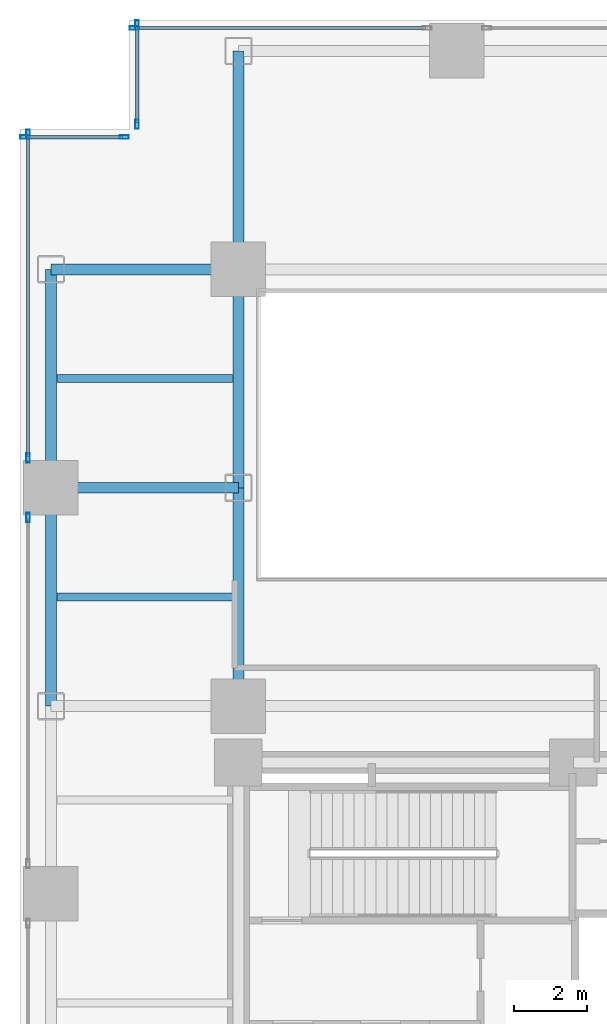
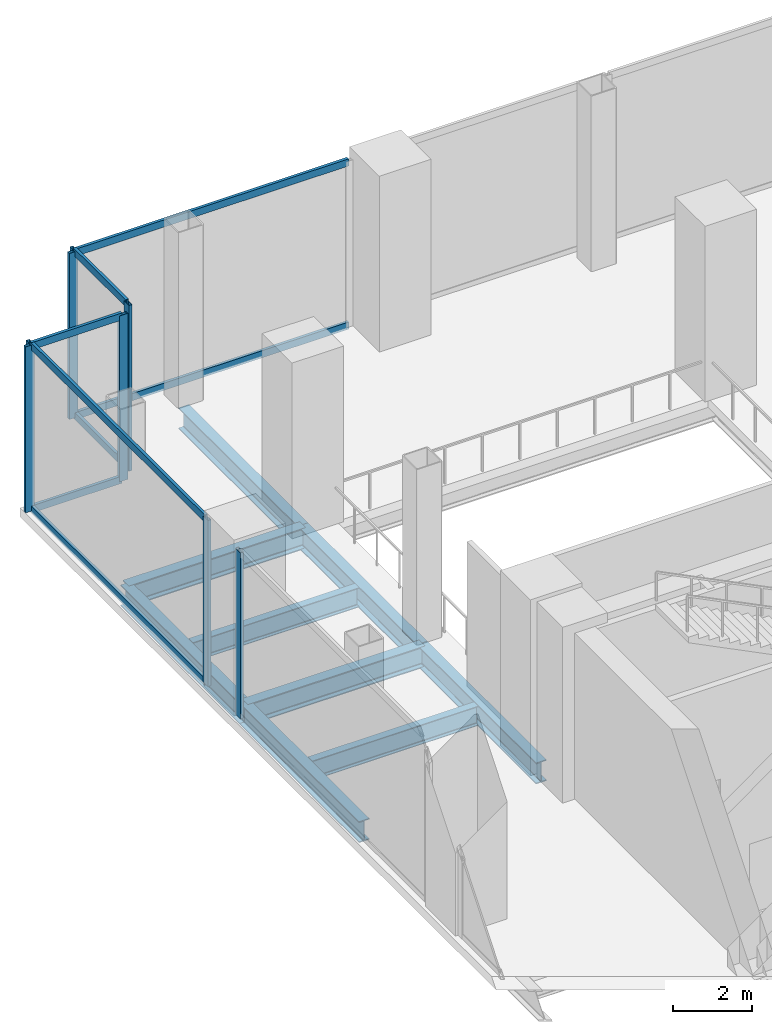
# One storey, part 13 of 28: 16 members, 9 beams, 5 elements without a shape of their own.
"""IFC4 building model written with IfcOpenShell, lengths in metres."""

from ifc_helpers import new_model, si_unit, direction, frame, origin, origin_2d, place, context, subcontext, project, spatial, hollow_rectangle, i_section, extrude, material, layer, layer_set, material_profile, profile_set, type_object, element, aggregate, save


model = new_model("IFC4")

# Units and contexts
model_context = context("Model", 3, precision=1e-05, world=origin(), true_north=direction((0.0, 1.0)))
body_context = subcontext(model_context, "Body", "Model", "MODEL_VIEW")
ifc_project = project(units=[si_unit("LENGTHUNIT", "METRE"), si_unit("AREAUNIT", "SQUARE_METRE"), si_unit("VOLUMEUNIT", "CUBIC_METRE"), si_unit("PLANEANGLEUNIT", "RADIAN"), si_unit("MASSUNIT", "GRAM", prefix="KILO"), si_unit("THERMODYNAMICTEMPERATUREUNIT", "KELVIN"), si_unit("POWERUNIT", "WATT")], contexts=[model_context])

# Site, building, storey
site_placement = place(None, origin())
site = spatial("IfcSite", under=ifc_project, at=site_placement, CompositionType="ELEMENT")
building_placement = place(site_placement, origin())
building = spatial("IfcBuilding", under=site, at=building_placement, Name="Svarakhadi Broadcast Tower", CompositionType="ELEMENT")
storey_placement = place(building_placement, frame((0.0, 0.0, 11.10009765625)))
storey = spatial("IfcBuildingStorey", under=building, at=storey_placement, Name="L02", CompositionType="ELEMENT", Elevation=11.10009765625)

# Beams
ifc_material_1 = material(Name="Steel S355J2 (IS 2062 E350C)", Category="steel")
ifc_material_profile_1 = material_profile(ifc_material_1, i_section(OverallWidth=0.219970703125, OverallDepth=0.60009765625, WebThickness=0.011962890625, FlangeThickness=0.01904296875, FilletRadius=0.02392578125, at=origin_2d()), Name="NPB 600x220x122")
ifc_profile_set_1 = profile_set([ifc_material_profile_1], Name="Steel S355J2 (IS 2062 E350C)")
beam_type_1 = type_object("IfcBeamType", Name="Beam_NPB600", PredefinedType="BEAM", material=ifc_profile_set_1)
for number, where, z_axis, x_axis, name in (
    (1, (1.010009765625, 32.14990234375, -0.5751953125), (1.0, 0.0, 0.0), (0.0, 1.0, 0.0), "L02 Secondary Composite Beam SB005"),
    (2, (1.010009765625, 38.14990234375, -0.5751953125), (1.0, 0.0, 0.0), (0.0, 1.0, 0.0), "L02 Secondary Composite Beam SB006"),
):
    element("IfcBeam", number, at=place(storey_placement, frame(where, z_axis=z_axis, x_axis=x_axis)), inside=storey, type_object=beam_type_1, Name=name, PredefinedType="BEAM", context=body_context, shape_type="SweptSolid", body=[
        extrude(i_section(OverallWidth=0.219970703125, OverallDepth=0.60009765625, WebThickness=0.011962890625, FlangeThickness=0.01904296875, FilletRadius=0.02392578125, at=origin_2d()), origin(), (0.0, 0.0, 1.0), 4.830078125),
    ])

# Curtain wall, member
ifc_material_2 = material(Name="Anodised Bronze Aluminium AA 6063-T6", Category="aluminium")
ifc_layer = layer(ifc_material_2, 0.25)
ifc_layer_set = layer_set([ifc_layer], Name="Anodised Bronze Aluminium AA 6063-T6")
curtain_wall_type = type_object("IfcCurtainWallType", Name="CW_Sys_01", PredefinedType="NOTDEFINED", material=ifc_layer_set)
curtain_wall_1_placement = place(storey_placement, origin())
curtain_wall_1 = element("IfcCurtainWall", 3, at=curtain_wall_1_placement, inside=storey, type_object=curtain_wall_type, Name="L02 Unitised Facade Curtain Wall 02 Bay 3", PredefinedType="NOTDEFINED")
ifc_material_profile_2 = material_profile(ifc_material_2, hollow_rectangle(XDim=0.094970703125, YDim=0.25, WallThickness=0.006103515625, at=origin_2d()), Name="ALU MULLION 250x95x6")
ifc_profile_set_2 = profile_set([ifc_material_profile_2], Name="Anodised Bronze Aluminium AA 6063-T6")
member_type_1 = type_object("IfcMemberType", Name="CW_Sys_01_Mul", PredefinedType="MULLION", material=ifc_profile_set_2)
member_1_placement = place(storey_placement, frame((0.219970703125, 34.33251953125, 0.0), z_axis=(0.0, 0.0, 1.0), x_axis=(-1.0, 0.0, 0.0)))
member_1 = element("IfcMember", 4, at=member_1_placement, type_object=member_type_1, Name="CW-01 mullion 2", PredefinedType="MULLION", context=body_context, shape_type="SweptSolid", body=[
    extrude(hollow_rectangle(XDim=0.094970703125, YDim=0.25, WallThickness=0.006103515625, at=origin_2d()), origin(), (0.0, 0.0, 1.0), 5.099853515625),
])
aggregate(curtain_wall_1, [member_1])

# Curtain wall, members
curtain_wall_2_placement = place(storey_placement, origin())
curtain_wall_2 = element("IfcCurtainWall", 5, at=curtain_wall_2_placement, inside=storey, type_object=curtain_wall_type, Name="L02 Unitised Facade Curtain Wall 02 Bay 4", PredefinedType="NOTDEFINED")
member_2_placement = place(storey_placement, frame((0.219970703125, 35.967529296875, 0.0), z_axis=(0.0, 0.0, 1.0), x_axis=(-1.0, 0.0, 0.0)))
member_2 = element("IfcMember", 6, at=member_2_placement, type_object=member_type_1, Name="CW-01 mullion 1", PredefinedType="MULLION", context=body_context, shape_type="SweptSolid", body=[
    extrude(hollow_rectangle(XDim=0.094970703125, YDim=0.25, WallThickness=0.006103515625, at=origin_2d()), origin(), (0.0, 0.0, 1.0), 5.099853515625),
])
member_3_placement = place(storey_placement, frame((0.219970703125, 44.862548828125, 0.0), z_axis=(0.0, 0.0, 1.0), x_axis=(-1.0, 0.0, 0.0)))
member_3 = element("IfcMember", 7, at=member_3_placement, type_object=member_type_1, Name="CW-01 mullion 2", PredefinedType="MULLION", context=body_context, shape_type="SweptSolid", body=[
    extrude(hollow_rectangle(XDim=0.094970703125, YDim=0.25, WallThickness=0.006103515625, at=origin_2d()), origin(), (0.0, 0.0, 1.0), 5.099853515625),
])

curtain_wall_3_placement = place(storey_placement, origin())
curtain_wall_3 = element("IfcCurtainWall", 8, at=curtain_wall_3_placement, inside=storey, type_object=curtain_wall_type, Name="L02 Unitised Facade Curtain Wall 03", PredefinedType="NOTDEFINED")
member_4_placement = place(storey_placement, frame((0.137451171875, 44.780029296875, 0.0), z_axis=(0.0, 0.0, 1.0), x_axis=(0.0, 1.0, 0.0)))
member_4 = element("IfcMember", 9, at=member_4_placement, type_object=member_type_1, Name="CW-01 mullion 1", PredefinedType="MULLION", context=body_context, shape_type="SweptSolid", body=[
    extrude(hollow_rectangle(XDim=0.094970703125, YDim=0.25, WallThickness=0.006103515625, at=origin_2d()), origin(), (0.0, 0.0, 1.0), 5.099853515625),
])
member_5_placement = place(storey_placement, frame((2.862548828125, 44.780029296875, 0.0), z_axis=(0.0, 0.0, 1.0), x_axis=(0.0, 1.0, 0.0)))
member_5 = element("IfcMember", 10, at=member_5_placement, type_object=member_type_1, Name="CW-01 mullion 2", PredefinedType="MULLION", context=body_context, shape_type="SweptSolid", body=[
    extrude(hollow_rectangle(XDim=0.094970703125, YDim=0.25, WallThickness=0.006103515625, at=origin_2d()), origin(), (0.0, 0.0, 1.0), 5.099853515625),
])

curtain_wall_4_placement = place(storey_placement, origin())
curtain_wall_4 = element("IfcCurtainWall", 11, at=curtain_wall_4_placement, inside=storey, type_object=curtain_wall_type, Name="L02 Unitised Facade Curtain Wall 04", PredefinedType="NOTDEFINED")
member_6_placement = place(storey_placement, frame((3.219970703125, 45.137451171875, 0.0), z_axis=(0.0, 0.0, 1.0), x_axis=(-1.0, 0.0, 0.0)))
member_6 = element("IfcMember", 12, at=member_6_placement, type_object=member_type_1, Name="CW-01 mullion 1", PredefinedType="MULLION", context=body_context, shape_type="SweptSolid", body=[
    extrude(hollow_rectangle(XDim=0.094970703125, YDim=0.25, WallThickness=0.006103515625, at=origin_2d()), origin(), (0.0, 0.0, 1.0), 5.099853515625),
])
member_7_placement = place(storey_placement, frame((3.219970703125, 47.862548828125, 0.0), z_axis=(0.0, 0.0, 1.0), x_axis=(-1.0, 0.0, 0.0)))
member_7 = element("IfcMember", 13, at=member_7_placement, type_object=member_type_1, Name="CW-01 mullion 2", PredefinedType="MULLION", context=body_context, shape_type="SweptSolid", body=[
    extrude(hollow_rectangle(XDim=0.094970703125, YDim=0.25, WallThickness=0.006103515625, at=origin_2d()), origin(), (0.0, 0.0, 1.0), 5.099853515625),
])

# Curtain wall, member
curtain_wall_5_placement = place(storey_placement, origin())
curtain_wall_5 = element("IfcCurtainWall", 14, at=curtain_wall_5_placement, inside=storey, type_object=curtain_wall_type, Name="L02 Unitised Facade Curtain Wall 05 Bay 1", PredefinedType="NOTDEFINED")
member_8_placement = place(storey_placement, frame((3.137451171875, 47.780029296875, 0.0), z_axis=(0.0, 0.0, 1.0), x_axis=(0.0, 1.0, 0.0)))
member_8 = element("IfcMember", 15, at=member_8_placement, type_object=member_type_1, Name="CW-01 mullion 1", PredefinedType="MULLION", context=body_context, shape_type="SweptSolid", body=[
    extrude(hollow_rectangle(XDim=0.094970703125, YDim=0.25, WallThickness=0.006103515625, at=origin_2d()), origin(), (0.0, 0.0, 1.0), 5.099853515625),
])

# Member
ifc_material_profile_3 = material_profile(ifc_material_2, hollow_rectangle(XDim=0.0849609375, YDim=0.219970703125, WallThickness=0.0048828125, at=origin_2d()), Name="ALU TRANSOM 220x85x5")
ifc_profile_set_3 = profile_set([ifc_material_profile_3], Name="Anodised Bronze Aluminium AA 6063-T6")
member_type_2 = type_object("IfcMemberType", Name="CW_Sys_01_Trn", PredefinedType="USERDEFINED", material=ifc_profile_set_3)
member_9_placement = place(storey_placement, frame((0.219970703125, 36.014892578125, 0.04248046875), z_axis=(0.0, 1.0, 0.0), x_axis=(-1.0, 0.0, 0.0)))
member_9 = element("IfcMember", 16, at=member_9_placement, type_object=member_type_2, Name="CW-01 transom 1.1", ObjectType="TRANSOM", PredefinedType="USERDEFINED", context=body_context, shape_type="SweptSolid", body=[
    extrude(hollow_rectangle(XDim=0.0849609375, YDim=0.219970703125, WallThickness=0.0048828125, at=origin_2d()), origin(), (0.0, 0.0, 1.0), 8.800048828125),
])

member_10_placement = place(storey_placement, frame((0.219970703125, 36.014892578125, 5.057373046875), z_axis=(0.0, 1.0, 0.0), x_axis=(-1.0, 0.0, 0.0)))
member_10 = element("IfcMember", 17, at=member_10_placement, type_object=member_type_2, Name="CW-01 transom 1.2", ObjectType="TRANSOM", PredefinedType="USERDEFINED", context=body_context, shape_type="SweptSolid", body=[
    extrude(hollow_rectangle(XDim=0.0849609375, YDim=0.219970703125, WallThickness=0.0048828125, at=origin_2d()), origin(), (0.0, 0.0, 1.0), 8.800048828125),
])

aggregate(curtain_wall_2, [member_2, member_3, member_9, member_10])

member_11_placement = place(storey_placement, frame((0.18505859375, 44.780029296875, 0.04248046875), z_axis=(1.0, 0.0, 0.0), x_axis=(0.0, 1.0, 0.0)))
member_11 = element("IfcMember", 18, at=member_11_placement, type_object=member_type_2, Name="CW-01 transom 1.1", ObjectType="TRANSOM", PredefinedType="USERDEFINED", context=body_context, shape_type="SweptSolid", body=[
    extrude(hollow_rectangle(XDim=0.0849609375, YDim=0.219970703125, WallThickness=0.0048828125, at=origin_2d()), origin(), (0.0, 0.0, 1.0), 2.6298828125),
])

member_12_placement = place(storey_placement, frame((0.18505859375, 44.780029296875, 5.057373046875), z_axis=(1.0, 0.0, 0.0), x_axis=(0.0, 1.0, 0.0)))
member_12 = element("IfcMember", 19, at=member_12_placement, type_object=member_type_2, Name="CW-01 transom 1.2", ObjectType="TRANSOM", PredefinedType="USERDEFINED", context=body_context, shape_type="SweptSolid", body=[
    extrude(hollow_rectangle(XDim=0.0849609375, YDim=0.219970703125, WallThickness=0.0048828125, at=origin_2d()), origin(), (0.0, 0.0, 1.0), 2.6298828125),
])

aggregate(curtain_wall_3, [member_4, member_5, member_11, member_12])

member_13_placement = place(storey_placement, frame((3.219970703125, 45.18505859375, 0.04248046875), z_axis=(0.0, 1.0, 0.0), x_axis=(-1.0, 0.0, 0.0)))
member_13 = element("IfcMember", 20, at=member_13_placement, type_object=member_type_2, Name="CW-01 transom 1.1", ObjectType="TRANSOM", PredefinedType="USERDEFINED", context=body_context, shape_type="SweptSolid", body=[
    extrude(hollow_rectangle(XDim=0.0849609375, YDim=0.219970703125, WallThickness=0.0048828125, at=origin_2d()), origin(), (0.0, 0.0, 1.0), 2.6298828125),
])

member_14_placement = place(storey_placement, frame((3.219970703125, 45.18505859375, 5.057373046875), z_axis=(0.0, 1.0, 0.0), x_axis=(-1.0, 0.0, 0.0)))
member_14 = element("IfcMember", 21, at=member_14_placement, type_object=member_type_2, Name="CW-01 transom 1.2", ObjectType="TRANSOM", PredefinedType="USERDEFINED", context=body_context, shape_type="SweptSolid", body=[
    extrude(hollow_rectangle(XDim=0.0849609375, YDim=0.219970703125, WallThickness=0.0048828125, at=origin_2d()), origin(), (0.0, 0.0, 1.0), 2.6298828125),
])

aggregate(curtain_wall_4, [member_6, member_7, member_13, member_14])

member_15_placement = place(storey_placement, frame((3.18505859375, 47.780029296875, 0.04248046875), z_axis=(1.0, 0.0, 0.0), x_axis=(0.0, 1.0, 0.0)))
member_15 = element("IfcMember", 22, at=member_15_placement, type_object=member_type_2, Name="CW-01 transom 1.1", ObjectType="TRANSOM", PredefinedType="USERDEFINED", context=body_context, shape_type="SweptSolid", body=[
    extrude(hollow_rectangle(XDim=0.0849609375, YDim=0.219970703125, WallThickness=0.0048828125, at=origin_2d()), origin(), (0.0, 0.0, 1.0), 7.949951171875),
])

member_16_placement = place(storey_placement, frame((3.18505859375, 47.780029296875, 5.057373046875), z_axis=(1.0, 0.0, 0.0), x_axis=(0.0, 1.0, 0.0)))
member_16 = element("IfcMember", 23, at=member_16_placement, type_object=member_type_2, Name="CW-01 transom 1.2", ObjectType="TRANSOM", PredefinedType="USERDEFINED", context=body_context, shape_type="SweptSolid", body=[
    extrude(hollow_rectangle(XDim=0.0849609375, YDim=0.219970703125, WallThickness=0.0048828125, at=origin_2d()), origin(), (0.0, 0.0, 1.0), 7.949951171875),
])

aggregate(curtain_wall_5, [member_8, member_15, member_16])

# Beams
ifc_material_profile_4 = material_profile(ifc_material_1, i_section(OverallWidth=0.300048828125, OverallDepth=0.64990234375, WebThickness=0.01611328125, FlangeThickness=0.031005859375, FilletRadius=0.027099609375, at=origin_2d()), Name="WPB 650x300x225")
ifc_profile_set_4 = profile_set([ifc_material_profile_4], Name="Steel S355J2 (IS 2062 E350C)")
beam_type_2 = type_object("IfcBeamType", Name="Girder_WPB650", PredefinedType="USERDEFINED", material=ifc_profile_set_4)
for number, where, z_axis, x_axis, name in (
    (24, (0.85009765625, 35.14990234375, -0.60009765625), (1.0, 0.0, 0.0), (0.0, 1.0, 0.0), "L02 Primary E-W Girder G037"),
    (25, (0.85009765625, 41.14990234375, -0.60009765625), (1.0, 0.0, 0.0), (0.0, 1.0, 0.0), "L02 Primary E-W Girder G040"),
):
    element("IfcBeam", number, at=place(storey_placement, frame(where, z_axis=z_axis, x_axis=x_axis)), inside=storey, type_object=beam_type_2, Name=name, ObjectType="GIRDER", PredefinedType="USERDEFINED", context=body_context, shape_type="SweptSolid", body=[
        extrude(i_section(OverallWidth=0.300048828125, OverallDepth=0.64990234375, WebThickness=0.01611328125, FlangeThickness=0.031005859375, FilletRadius=0.027099609375, at=origin_2d()), origin(), (0.0, 0.0, 1.0), 5.14990234375),
    ])
for number, where, z_axis, x_axis, name in (
    (26, (0.85009765625, 29.14990234375, -0.60009765625), (0.0, 1.0, 0.0), (-1.0, 0.0, 0.0), "L02 Primary N-S Girder G048"),
    (27, (0.85009765625, 35.14990234375, -0.60009765625), (0.0, 1.0, 0.0), (-1.0, 0.0, 0.0), "L02 Primary N-S Girder G049"),
    (28, (6.0, 29.14990234375, -0.60009765625), (0.0, 1.0, 0.0), (-1.0, 0.0, 0.0), "L02 Primary N-S Girder G054"),
    (29, (6.0, 35.14990234375, -0.60009765625), (0.0, 1.0, 0.0), (-1.0, 0.0, 0.0), "L02 Primary N-S Girder G055"),
    (30, (6.0, 41.14990234375, -0.60009765625), (0.0, 1.0, 0.0), (-1.0, 0.0, 0.0), "L02 Primary N-S Girder G056"),
):
    element("IfcBeam", number, at=place(storey_placement, frame(where, z_axis=z_axis, x_axis=x_axis)), inside=storey, type_object=beam_type_2, Name=name, ObjectType="GIRDER", PredefinedType="USERDEFINED", context=body_context, shape_type="SweptSolid", body=[
        extrude(i_section(OverallWidth=0.300048828125, OverallDepth=0.64990234375, WebThickness=0.01611328125, FlangeThickness=0.031005859375, FilletRadius=0.027099609375, at=origin_2d()), origin(), (0.0, 0.0, 1.0), 6.0),
    ])

save(model, "model.ifc")
